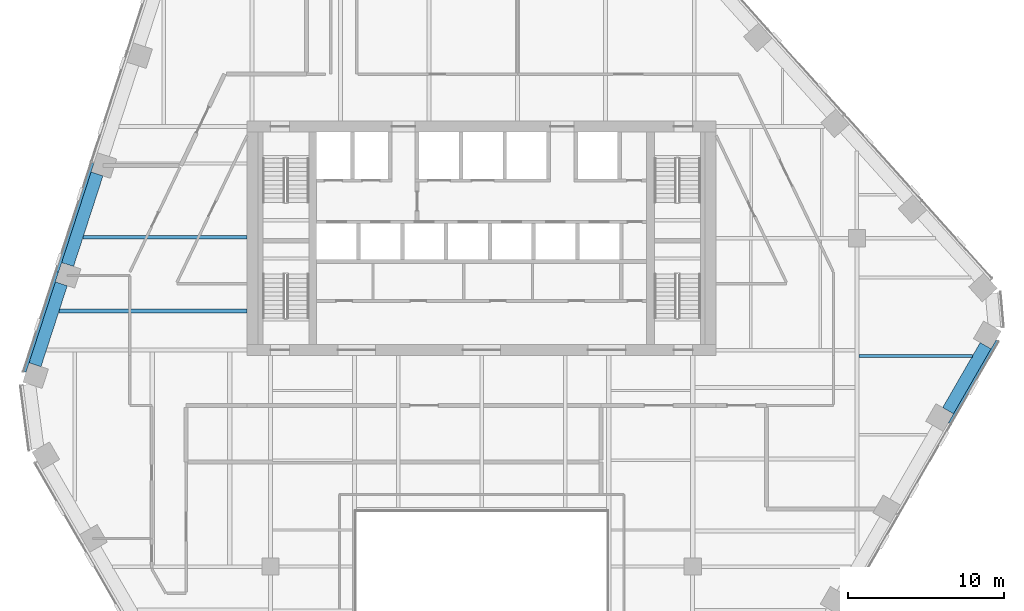
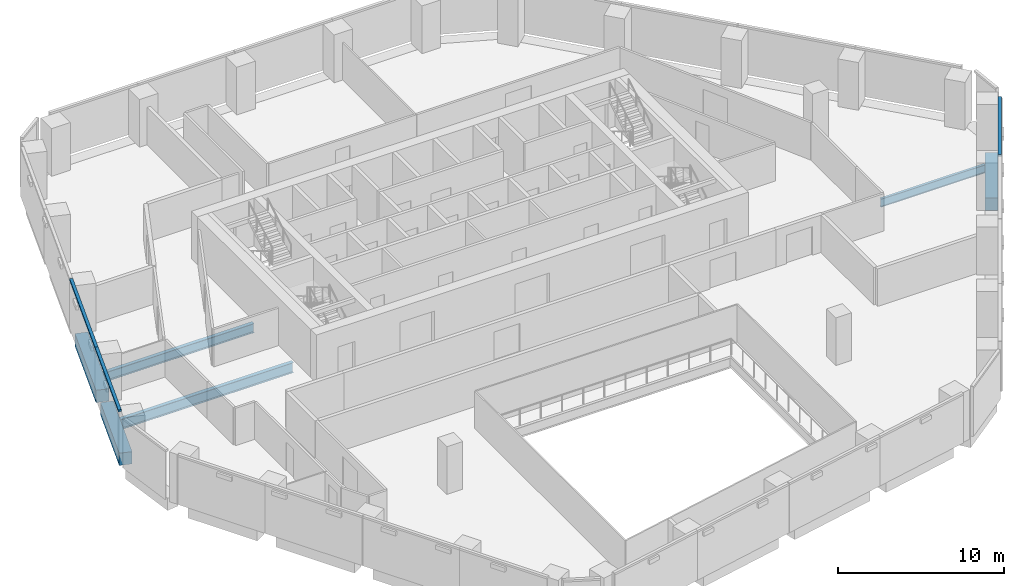
# One storey, part 6 of 17: 6 beams, 3 members, 2 elements without a shape of their own.
"""IFC4 building model written with IfcOpenShell, lengths in metres."""

import ifcopenshell
import ifcopenshell.guid

model = None  # the IFC model being written
_history = None  # IfcOwnerHistory: only IFC2X3 demands one
_inside = {}  # id of a spatial element -> (the spatial element, [elements in it])
_under = {}  # id of a project, library or spatial element -> (it, [spatial elements below it])
_declared = {}  # id of a project -> (the project, [libraries it declares])
_typed = {}  # id of a type object -> (the type object, [elements of that type])
_made_of = {}  # id of a material, layer set ... -> (it, [elements and type objects made of it])


def new_model(schema):
    """Start an empty IFC model of exactly this schema.

    Asked for "IFC4X3", IfcOpenShell would pick the latest addendum, in which some entities
    have other attributes; the version numbers below select the first issue.
    IFC2X3 requires an IfcOwnerHistory on every rooted entity: one is made here for all.
    """
    global model, _history
    if schema == "IFC4X3":
        model = ifcopenshell.file(schema_version=(4, 3, 0, 0))
    else:
        model = ifcopenshell.file(schema=schema)
    _inside.clear()
    _under.clear()
    _declared.clear()
    _typed.clear()
    _made_of.clear()
    _history = None
    if model.schema == "IFC2X3":
        org = make("IfcOrganization", Name="unknown")
        user = make(
            "IfcPersonAndOrganization",
            ThePerson=make("IfcPerson", FamilyName="unknown"),
            TheOrganization=org,
        )
        app = make(
            "IfcApplication",
            ApplicationDeveloper=org,
            Version="unknown",
            ApplicationFullName="unknown",
            ApplicationIdentifier="unknown",
        )
        _history = make(
            "IfcOwnerHistory",
            OwningUser=user,
            OwningApplication=app,
            ChangeAction="ADDED",
            CreationDate=0,
        )
    return model


def make(cls, **values):
    """One entity of the class cls with the attributes given. An attribute that is None is left unset."""
    return model.create_entity(
        cls, **{name: value for name, value in values.items() if value is not None}
    )


def rooted(cls, **values):
    """An entity with a GlobalId (a new one), such as an element, a storey or a relation."""
    return make(cls, GlobalId=ifcopenshell.guid.new(), OwnerHistory=_history, **values)


def si_unit(unit_type, name, prefix=None):
    """IfcSIUnit, for example si_unit("LENGTHUNIT", "METRE", prefix="MILLI")."""
    return make("IfcSIUnit", UnitType=unit_type, Prefix=prefix, Name=name)


def assignment(units):
    """IfcUnitAssignment: the units of a project."""
    return None if units is None else make("IfcUnitAssignment", Units=units)


def point(xyz):
    """IfcCartesianPoint."""
    return None if xyz is None else make("IfcCartesianPoint", Coordinates=xyz)


def direction(xyz):
    """IfcDirection."""
    return None if xyz is None else make("IfcDirection", DirectionRatios=xyz)


def frame(location, z_axis=None, x_axis=None):
    """IfcAxis2Placement3D, a coordinate frame: its origin and axes. An axis left out is left unset."""
    return make(
        "IfcAxis2Placement3D",
        Location=point(location),
        Axis=direction(z_axis),
        RefDirection=direction(x_axis),
    )


def frame_2d(location, x_axis=None):
    """IfcAxis2Placement2D, a coordinate frame in the plane: its origin and x axis."""
    return make(
        "IfcAxis2Placement2D", Location=point(location), RefDirection=direction(x_axis)
    )


def origin():
    """The frame at (0, 0, 0) with its axes left unset."""
    return frame((0.0, 0.0, 0.0))


def origin_2d():
    """The frame at (0, 0) in the plane with its x axis left unset."""
    return frame_2d((0.0, 0.0))


def place(relative_to, where):
    """IfcLocalPlacement: puts the frame where relative to a parent placement (None: the world)."""
    return make(
        "IfcLocalPlacement", PlacementRelTo=relative_to, RelativePlacement=where
    )


def context(
    kind, dimensions, precision=None, world=None, true_north=None, identifier=None
):
    """IfcGeometricRepresentationContext, for example the 3D "Model" context."""
    return make(
        "IfcGeometricRepresentationContext",
        ContextIdentifier=identifier,
        ContextType=kind,
        CoordinateSpaceDimension=dimensions,
        Precision=precision,
        WorldCoordinateSystem=world,
        TrueNorth=true_north,
    )


def subcontext(parent, identifier, kind, view, scale=None):
    """IfcGeometricRepresentationSubContext, for example "Body" below "Model"."""
    return make(
        "IfcGeometricRepresentationSubContext",
        ContextIdentifier=identifier,
        ContextType=kind,
        ParentContext=parent,
        TargetScale=scale,
        TargetView=view,
    )


def project(units=None, contexts=None):
    """IfcProject with its units and contexts."""
    return rooted(
        "IfcProject",
        Name="project",
        RepresentationContexts=contexts,
        UnitsInContext=assignment(units),
    )


def spatial(cls, under=None, at=None, **own):
    """A site, building, storey or space (cls), placed at a placement, below another one or the project."""
    s = rooted(cls, ObjectPlacement=at, **own)
    if under is not None:
        _under.setdefault(under.id(), (under, []))[1].append(s)
    return s


def profile(cls, at=None, kind="AREA", **sizes):
    """A parametric profile (cls). Its sizes go by their IFC names, for example OverallWidth=200.0."""
    return make(cls, ProfileType=kind, Position=at, **sizes)


def rectangle(**sizes):
    """IfcRectangleProfileDef."""
    return profile("IfcRectangleProfileDef", **sizes)


def i_section(**sizes):
    """IfcIShapeProfileDef."""
    return profile("IfcIShapeProfileDef", **sizes)


def extrude(swept, where, along, depth):
    """IfcExtrudedAreaSolid: the profile swept, set in the frame where, extruded along a direction by depth."""
    return make(
        "IfcExtrudedAreaSolid",
        SweptArea=swept,
        Position=where,
        ExtrudedDirection=direction(along),
        Depth=depth,
    )


def shape(context_of_items, identifier, shape_type, items):
    """IfcShapeRepresentation: the items that make up one representation, for example the "Body"."""
    return make(
        "IfcShapeRepresentation",
        ContextOfItems=context_of_items,
        RepresentationIdentifier=identifier,
        RepresentationType=shape_type,
        Items=items,
    )


def material(Name=None, Category=None):
    """IfcMaterial."""
    return make("IfcMaterial", Name=Name, Category=Category)


def layer(
    of_material, thickness, ventilated=None, Name=None, Category=None, Priority=None
):
    """IfcMaterialLayer: one layer of a wall or slab, of a material (None: an air gap)."""
    return make(
        "IfcMaterialLayer",
        Material=of_material,
        LayerThickness=thickness,
        IsVentilated=ventilated,
        Name=Name,
        Category=Category,
        Priority=Priority,
    )


def layer_set(layers, Name=None):
    """IfcMaterialLayerSet."""
    return make("IfcMaterialLayerSet", MaterialLayers=layers, LayerSetName=Name)


def material_profile(
    of_material, cross_section, Name=None, Category=None, Priority=None
):
    """IfcMaterialProfile: a cross section and its material."""
    return make(
        "IfcMaterialProfile",
        Name=Name,
        Material=of_material,
        Profile=cross_section,
        Priority=Priority,
        Category=Category,
    )


def profile_set(profiles, Name=None, composite=None):
    """IfcMaterialProfileSet."""
    return make(
        "IfcMaterialProfileSet",
        Name=Name,
        MaterialProfiles=profiles,
        CompositeProfile=composite,
    )


def made_of(thing, what):
    """Note that an element or type object is made of a material, layer set ...; save() writes the relation."""
    if what is not None:
        _made_of.setdefault(what.id(), (what, []))[1].append(thing)
    return thing


def type_object(cls, material=None, **own):
    """A type object (cls), such as IfcWallType, which elements share."""
    return made_of(rooted(cls, **own), material)


def element(
    cls,
    number,
    at=None,
    inside=None,
    cuts=None,
    type_object=None,
    material=None,
    context=None,
    identifier="Body",
    shape_type=None,
    held_by="IfcProductDefinitionShape",
    body=None,
    shapes=None,
    **own,
):
    """One element of the class cls, such as IfcWall. Its Tag is "e" and its number.

    at: its placement. inside: the storey or other place that contains it. cuts: it is an
    opening in that element (IfcRelVoidsElement). A single representation is given by context,
    identifier, shape_type and body (its items); several are given by shapes. held_by: the class
    of the entity that holds the representations. save() writes the other relations.
    """
    e = rooted(cls, Tag="e%d" % number, ObjectPlacement=at, **own)
    if body is not None:
        shapes = [shape(context, identifier, shape_type, body)]
    if shapes is not None:
        e.Representation = make(held_by, Representations=shapes)
    if inside is not None:
        _inside.setdefault(inside.id(), (inside, []))[1].append(e)
    if cuts is not None:
        rooted(
            "IfcRelVoidsElement", RelatingBuildingElement=cuts, RelatedOpeningElement=e
        )
    if type_object is not None:
        _typed.setdefault(type_object.id(), (type_object, []))[1].append(e)
    return made_of(e, material)


def aggregate(whole, parts):
    """IfcRelAggregates: a whole, such as a stair, and the parts it consists of."""
    return rooted("IfcRelAggregates", RelatingObject=whole, RelatedObjects=parts)


def save(model, path):
    """Write the relations noted so far, then the file.

    IfcRelAggregates (storeys below a building ...), IfcRelContainedInSpatialStructure (elements
    in a storey), IfcRelDefinesByType, IfcRelAssociatesMaterial and IfcRelDeclares: one each for
    every whole, place, type object, material and project.
    """
    for whole, parts in _under.values():
        aggregate(whole, parts)
    for where, things in _inside.values():
        rooted(
            "IfcRelContainedInSpatialStructure",
            RelatedElements=things,
            RelatingStructure=where,
        )
    for kind, things in _typed.values():
        rooted("IfcRelDefinesByType", RelatedObjects=things, RelatingType=kind)
    for what, things in _made_of.values():
        rooted("IfcRelAssociatesMaterial", RelatedObjects=things, RelatingMaterial=what)
    for by, libraries in _declared.values():
        rooted("IfcRelDeclares", RelatingContext=by, RelatedDefinitions=libraries)
    model.write(path)


model = new_model("IFC4")

# Units and contexts
model_context = context("Model", 3, precision=1e-05, world=origin(), true_north=direction((0.0, 1.0)))
body_context = subcontext(model_context, "Body", "Model", "MODEL_VIEW")
ifc_project = project(units=[si_unit("LENGTHUNIT", "METRE"), si_unit("AREAUNIT", "SQUARE_METRE"), si_unit("VOLUMEUNIT", "CUBIC_METRE"), si_unit("PLANEANGLEUNIT", "RADIAN"), si_unit("MASSUNIT", "GRAM", prefix="KILO")], contexts=[model_context])

# Site, building, storey
site_placement = place(None, origin())
site = spatial("IfcSite", under=ifc_project, at=site_placement, CompositionType="ELEMENT")
building_placement = place(site_placement, origin())
building = spatial("IfcBuilding", under=site, at=building_placement, Name="Isthmus Gate Tower", CompositionType="ELEMENT")
storey_placement = place(building_placement, frame((0.0, 0.0, 200.0)))
storey = spatial("IfcBuildingStorey", under=building, at=storey_placement, Name="L50", CompositionType="ELEMENT", Elevation=200.0)

# Curtain wall, members
ifc_material_1 = material(Name="Aluminium, pale champagne anodised", Category="aluminium")
ifc_layer = layer(ifc_material_1, 0.199951171875)
ifc_layer_set = layer_set([ifc_layer], Name="CW-1 UNITISED CURTAIN WALL 200 DEEP")
curtain_wall_type = type_object("IfcCurtainWallType", Name="CW-1 UNITISED CURTAIN WALL 200 DEEP", PredefinedType="NOTDEFINED", material=ifc_layer_set)
curtain_wall_1_placement = place(storey_placement, origin())
curtain_wall_1 = element("IfcCurtainWall", 1, at=curtain_wall_1_placement, inside=storey, type_object=curtain_wall_type, Name="CW-1 NW L50", PredefinedType="NOTDEFINED")
ifc_material_2 = material(Name="Aluminium, pale champagne anodised", Category="aluminium")
ifc_material_profile_1 = material_profile(ifc_material_2, rectangle(XDim=0.199951171875, YDim=0.139892578125, at=origin_2d()), Name="200x140")
ifc_profile_set_1 = profile_set([ifc_material_profile_1], Name="Aluminium, pale champagne anodised")
member_type = type_object("IfcMemberType", Name="CW-1 TRANSOM 200 X 140", PredefinedType="USERDEFINED", material=ifc_profile_set_1)
member_1_placement = place(storey_placement, frame((-24.896240234375, 12.33056640625, 3.580078125), z_axis=(-0.309025074527, -0.951053890857, 0.0), x_axis=(0.951053890857, -0.309025074527, 0.0)))
member_1 = element("IfcMember", 2, at=member_1_placement, type_object=member_type, Name="CW-1 transom", ObjectType="TRANSOM", PredefinedType="USERDEFINED", context=body_context, shape_type="SweptSolid", body=[
    extrude(rectangle(XDim=0.199951171875, YDim=0.139892578125, at=origin_2d()), origin(), (0.0, 0.0, 1.0), 7.330810546875),
])
member_2_placement = place(storey_placement, frame((-27.16162109375, 5.358642578125, 3.580078125), z_axis=(-0.309014822289, -0.951057222046, 0.0), x_axis=(0.951057222046, -0.309014822289, 0.0)))
member_2 = element("IfcMember", 3, at=member_2_placement, type_object=member_type, Name="CW-1 transom", ObjectType="TRANSOM", PredefinedType="USERDEFINED", context=body_context, shape_type="SweptSolid", body=[
    extrude(rectangle(XDim=0.199951171875, YDim=0.139892578125, at=origin_2d()), origin(), (0.0, 0.0, 1.0), 6.74072265625),
])
aggregate(curtain_wall_1, [member_1, member_2])

# Curtain wall, member
curtain_wall_2_placement = place(storey_placement, origin())
curtain_wall_2 = element("IfcCurtainWall", 4, at=curtain_wall_2_placement, inside=storey, type_object=curtain_wall_type, Name="CW-1 SE L50", PredefinedType="NOTDEFINED")
member_3_placement = place(storey_placement, frame((29.941162109375, -4.34033203125, 3.580078125), z_axis=(0.499991521122, 0.866030299012, 0.0), x_axis=(-0.866030299012, 0.499991521122, 0.0)))
member_3 = element("IfcMember", 5, at=member_3_placement, type_object=member_type, Name="CW-1 transom", ObjectType="TRANSOM", PredefinedType="USERDEFINED", context=body_context, shape_type="SweptSolid", body=[
    extrude(rectangle(XDim=0.199951171875, YDim=0.139892578125, at=origin_2d()), origin(), (0.0, 0.0, 1.0), 6.10009765625),
])
aggregate(curtain_wall_2, [member_3])

# Beams
ifc_material_3 = material(Name="Concrete f'c 60 MPa", Category="concrete")
ifc_material_profile_2 = material_profile(ifc_material_3, rectangle(XDim=0.800048828125, YDim=0.89990234375, at=origin_2d()), Name="RC 800X900")
ifc_profile_set_2 = profile_set([ifc_material_profile_2], Name="Concrete f'c 60 MPa")
beam_type_1 = type_object("IfcBeamType", Name="RC SPANDREL 800 X 900", PredefinedType="SPANDREL", material=ifc_profile_set_2)
beam_1_placement = place(storey_placement, frame((32.2333984375, 0.629638671875, -0.449951171875), z_axis=(-0.500017431331, -0.866015339567, 0.0), x_axis=(0.866015339567, -0.500017431331, 0.0)))
element("IfcBeam", 6, at=beam_1_placement, inside=storey, type_object=beam_type_1, Name="str-spandrel-L50-06", PredefinedType="SPANDREL", context=body_context, shape_type="SweptSolid", body=[
    extrude(rectangle(XDim=0.800048828125, YDim=0.89990234375, at=origin_2d()), origin(), (0.0, 0.0, 1.0), 4.800048828125),
])
beam_2_placement = place(storey_placement, frame((-28.568115234375, -0.588623046875, -0.449951171875), z_axis=(0.308989680586, 0.95106539065, 0.0), x_axis=(-0.95106539065, 0.308989680586, 0.0)))
element("IfcBeam", 7, at=beam_2_placement, inside=storey, type_object=beam_type_1, Name="str-spandrel-L50-21", PredefinedType="SPANDREL", context=body_context, shape_type="SweptSolid", body=[
    extrude(rectangle(XDim=0.800048828125, YDim=0.89990234375, at=origin_2d()), origin(), (0.0, 0.0, 1.0), 5.44091796875),
])
beam_3_placement = place(storey_placement, frame((-26.485107421875, 5.822265625, -0.449951171875), z_axis=(0.309003593002, 0.951060870561, 0.0), x_axis=(-0.951060870561, 0.309003593002, 0.0)))
element("IfcBeam", 8, at=beam_3_placement, inside=storey, type_object=beam_type_1, Name="str-spandrel-L50-22", PredefinedType="SPANDREL", context=body_context, shape_type="SweptSolid", body=[
    extrude(rectangle(XDim=0.800048828125, YDim=0.89990234375, at=origin_2d()), origin(), (0.0, 0.0, 1.0), 6.0908203125),
])
ifc_material_4 = material(Name="Structural steel ASTM A992 Gr 50", Category="steel")
ifc_material_profile_3 = material_profile(ifc_material_4, i_section(OverallWidth=0.177734375, OverallDepth=0.60009765625, WebThickness=0.009521484375, FlangeThickness=0.0126953125, at=origin_2d()), Name="W24X55")
ifc_profile_set_3 = profile_set([ifc_material_profile_3], Name="Structural steel ASTM A992 Gr 50")
beam_type_2 = type_object("IfcBeamType", Name="STEEL FLOOR BEAM W24X55", PredefinedType="JOIST", material=ifc_profile_set_3)
beam_4_placement = place(storey_placement, frame((24.13330078125, -0.037353515625, -0.449951171875), z_axis=(1.0, 0.0, 0.0), x_axis=(0.0, 1.0, 0.0)))
element("IfcBeam", 9, at=beam_4_placement, inside=storey, type_object=beam_type_2, Name="str-beam-L50-16-01", PredefinedType="JOIST", context=body_context, shape_type="SweptSolid", body=[
    extrude(i_section(OverallWidth=0.177734375, OverallDepth=0.60009765625, WebThickness=0.009521484375, FlangeThickness=0.0126953125, at=origin_2d()), origin(), (0.0, 0.0, 1.0), 7.2529296875),
])
ifc_material_5 = material(Name="Structural steel ASTM A992 Gr 50", Category="steel")
ifc_material_profile_4 = material_profile(ifc_material_5, i_section(OverallWidth=0.25390625, OverallDepth=0.679443359375, WebThickness=0.010986328125, FlangeThickness=0.015869140625, at=origin_2d()), Name="W27X84")
ifc_profile_set_4 = profile_set([ifc_material_profile_4], Name="Structural steel ASTM A992 Gr 50")
beam_type_3 = type_object("IfcBeamType", Name="STEEL FLOOR BEAM W27X84", PredefinedType="JOIST", material=ifc_profile_set_4)
beam_5_placement = place(storey_placement, frame((-25.498046875, 7.56591796875, -0.48974609375), z_axis=(1.0, 0.0, 0.0), x_axis=(0.0, 1.0, 0.0)))
element("IfcBeam", 10, at=beam_5_placement, inside=storey, type_object=beam_type_3, Name="str-beam-L50-01-01", PredefinedType="JOIST", context=body_context, shape_type="SweptSolid", body=[
    extrude(i_section(OverallWidth=0.25390625, OverallDepth=0.679443359375, WebThickness=0.010986328125, FlangeThickness=0.015869140625, at=origin_2d()), origin(), (0.0, 0.0, 1.0), 10.498046875),
])
ifc_material_6 = material(Name="Structural steel ASTM A992 Gr 50", Category="steel")
ifc_material_profile_5 = material_profile(ifc_material_6, i_section(OverallWidth=0.263427734375, OverallDepth=0.749267578125, WebThickness=0.0126953125, FlangeThickness=0.015869140625, at=origin_2d()), Name="W30X90")
ifc_profile_set_5 = profile_set([ifc_material_profile_5], Name="Structural steel ASTM A992 Gr 50")
beam_type_4 = type_object("IfcBeamType", Name="STEEL FLOOR BEAM W30X90", PredefinedType="JOIST", material=ifc_profile_set_5)
beam_6_placement = place(storey_placement, frame((-27.03271484375, 2.843017578125, -0.524658203125), z_axis=(1.0, 0.0, 0.0), x_axis=(0.0, 1.0, 0.0)))
element("IfcBeam", 11, at=beam_6_placement, inside=storey, type_object=beam_type_4, Name="str-beam-L50-01-00", PredefinedType="JOIST", context=body_context, shape_type="SweptSolid", body=[
    extrude(i_section(OverallWidth=0.263427734375, OverallDepth=0.749267578125, WebThickness=0.0126953125, FlangeThickness=0.015869140625, at=origin_2d()), origin(), (0.0, 0.0, 1.0), 12.03271484375),
])

save(model, "model.ifc")
